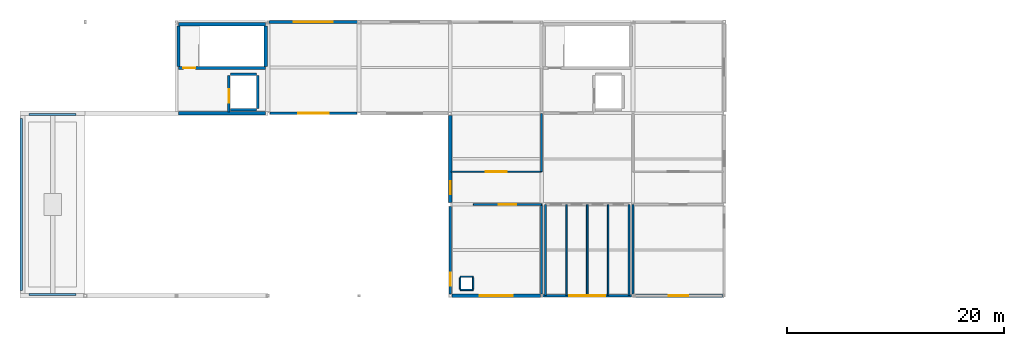
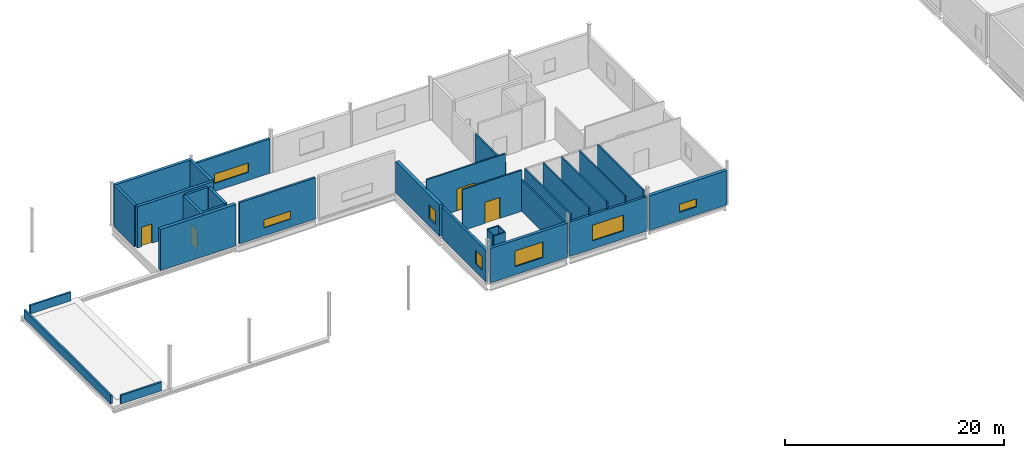
# One storey, part 19 of 27: 33 walls, 7 windows, 4 doors, 11 openings.
"""IFC4 building model written with IfcOpenShell, lengths in metres."""

import ifcopenshell
import ifcopenshell.guid

model = None  # the IFC model being written
_history = None  # IfcOwnerHistory: only IFC2X3 demands one
_inside = {}  # id of a spatial element -> (the spatial element, [elements in it])
_under = {}  # id of a project, library or spatial element -> (it, [spatial elements below it])
_declared = {}  # id of a project -> (the project, [libraries it declares])
_typed = {}  # id of a type object -> (the type object, [elements of that type])
_made_of = {}  # id of a material, layer set ... -> (it, [elements and type objects made of it])


def new_model(schema):
    """Start an empty IFC model of exactly this schema.

    Asked for "IFC4X3", IfcOpenShell would pick the latest addendum, in which some entities
    have other attributes; the version numbers below select the first issue.
    IFC2X3 requires an IfcOwnerHistory on every rooted entity: one is made here for all.
    """
    global model, _history
    if schema == "IFC4X3":
        model = ifcopenshell.file(schema_version=(4, 3, 0, 0))
    else:
        model = ifcopenshell.file(schema=schema)
    _inside.clear()
    _under.clear()
    _declared.clear()
    _typed.clear()
    _made_of.clear()
    _history = None
    if model.schema == "IFC2X3":
        org = make("IfcOrganization", Name="unknown")
        user = make(
            "IfcPersonAndOrganization",
            ThePerson=make("IfcPerson", FamilyName="unknown"),
            TheOrganization=org,
        )
        app = make(
            "IfcApplication",
            ApplicationDeveloper=org,
            Version="unknown",
            ApplicationFullName="unknown",
            ApplicationIdentifier="unknown",
        )
        _history = make(
            "IfcOwnerHistory",
            OwningUser=user,
            OwningApplication=app,
            ChangeAction="ADDED",
            CreationDate=0,
        )
    return model


def make(cls, **values):
    """One entity of the class cls with the attributes given. An attribute that is None is left unset."""
    return model.create_entity(
        cls, **{name: value for name, value in values.items() if value is not None}
    )


def rooted(cls, **values):
    """An entity with a GlobalId (a new one), such as an element, a storey or a relation."""
    return make(cls, GlobalId=ifcopenshell.guid.new(), OwnerHistory=_history, **values)


def si_unit(unit_type, name, prefix=None):
    """IfcSIUnit, for example si_unit("LENGTHUNIT", "METRE", prefix="MILLI")."""
    return make("IfcSIUnit", UnitType=unit_type, Prefix=prefix, Name=name)


def assignment(units):
    """IfcUnitAssignment: the units of a project."""
    return None if units is None else make("IfcUnitAssignment", Units=units)


def point(xyz):
    """IfcCartesianPoint."""
    return None if xyz is None else make("IfcCartesianPoint", Coordinates=xyz)


def direction(xyz):
    """IfcDirection."""
    return None if xyz is None else make("IfcDirection", DirectionRatios=xyz)


def frame(location, z_axis=None, x_axis=None):
    """IfcAxis2Placement3D, a coordinate frame: its origin and axes. An axis left out is left unset."""
    return make(
        "IfcAxis2Placement3D",
        Location=point(location),
        Axis=direction(z_axis),
        RefDirection=direction(x_axis),
    )


def frame_2d(location, x_axis=None):
    """IfcAxis2Placement2D, a coordinate frame in the plane: its origin and x axis."""
    return make(
        "IfcAxis2Placement2D", Location=point(location), RefDirection=direction(x_axis)
    )


def origin():
    """The frame at (0, 0, 0) with its axes left unset."""
    return frame((0.0, 0.0, 0.0))


def place(relative_to, where):
    """IfcLocalPlacement: puts the frame where relative to a parent placement (None: the world)."""
    return make(
        "IfcLocalPlacement", PlacementRelTo=relative_to, RelativePlacement=where
    )


def context(
    kind, dimensions, precision=None, world=None, true_north=None, identifier=None
):
    """IfcGeometricRepresentationContext, for example the 3D "Model" context."""
    return make(
        "IfcGeometricRepresentationContext",
        ContextIdentifier=identifier,
        ContextType=kind,
        CoordinateSpaceDimension=dimensions,
        Precision=precision,
        WorldCoordinateSystem=world,
        TrueNorth=true_north,
    )


def subcontext(parent, identifier, kind, view, scale=None):
    """IfcGeometricRepresentationSubContext, for example "Body" below "Model"."""
    return make(
        "IfcGeometricRepresentationSubContext",
        ContextIdentifier=identifier,
        ContextType=kind,
        ParentContext=parent,
        TargetScale=scale,
        TargetView=view,
    )


def project(units=None, contexts=None):
    """IfcProject with its units and contexts."""
    return rooted(
        "IfcProject",
        Name="project",
        RepresentationContexts=contexts,
        UnitsInContext=assignment(units),
    )


def spatial(cls, under=None, at=None, **own):
    """A site, building, storey or space (cls), placed at a placement, below another one or the project."""
    s = rooted(cls, ObjectPlacement=at, **own)
    if under is not None:
        _under.setdefault(under.id(), (under, []))[1].append(s)
    return s


def profile(cls, at=None, kind="AREA", **sizes):
    """A parametric profile (cls). Its sizes go by their IFC names, for example OverallWidth=200.0."""
    return make(cls, ProfileType=kind, Position=at, **sizes)


def rectangle(**sizes):
    """IfcRectangleProfileDef."""
    return profile("IfcRectangleProfileDef", **sizes)


def extrude(swept, where, along, depth):
    """IfcExtrudedAreaSolid: the profile swept, set in the frame where, extruded along a direction by depth."""
    return make(
        "IfcExtrudedAreaSolid",
        SweptArea=swept,
        Position=where,
        ExtrudedDirection=direction(along),
        Depth=depth,
    )


def shape(context_of_items, identifier, shape_type, items):
    """IfcShapeRepresentation: the items that make up one representation, for example the "Body"."""
    return make(
        "IfcShapeRepresentation",
        ContextOfItems=context_of_items,
        RepresentationIdentifier=identifier,
        RepresentationType=shape_type,
        Items=items,
    )


def material(Name=None, Category=None):
    """IfcMaterial."""
    return make("IfcMaterial", Name=Name, Category=Category)


def layer(
    of_material, thickness, ventilated=None, Name=None, Category=None, Priority=None
):
    """IfcMaterialLayer: one layer of a wall or slab, of a material (None: an air gap)."""
    return make(
        "IfcMaterialLayer",
        Material=of_material,
        LayerThickness=thickness,
        IsVentilated=ventilated,
        Name=Name,
        Category=Category,
        Priority=Priority,
    )


def layer_set(layers, Name=None):
    """IfcMaterialLayerSet."""
    return make("IfcMaterialLayerSet", MaterialLayers=layers, LayerSetName=Name)


def made_of(thing, what):
    """Note that an element or type object is made of a material, layer set ...; save() writes the relation."""
    if what is not None:
        _made_of.setdefault(what.id(), (what, []))[1].append(thing)
    return thing


def type_object(cls, material=None, **own):
    """A type object (cls), such as IfcWallType, which elements share."""
    return made_of(rooted(cls, **own), material)


def element(
    cls,
    number,
    at=None,
    inside=None,
    cuts=None,
    type_object=None,
    material=None,
    context=None,
    identifier="Body",
    shape_type=None,
    held_by="IfcProductDefinitionShape",
    body=None,
    shapes=None,
    **own,
):
    """One element of the class cls, such as IfcWall. Its Tag is "e" and its number.

    at: its placement. inside: the storey or other place that contains it. cuts: it is an
    opening in that element (IfcRelVoidsElement). A single representation is given by context,
    identifier, shape_type and body (its items); several are given by shapes. held_by: the class
    of the entity that holds the representations. save() writes the other relations.
    """
    e = rooted(cls, Tag="e%d" % number, ObjectPlacement=at, **own)
    if body is not None:
        shapes = [shape(context, identifier, shape_type, body)]
    if shapes is not None:
        e.Representation = make(held_by, Representations=shapes)
    if inside is not None:
        _inside.setdefault(inside.id(), (inside, []))[1].append(e)
    if cuts is not None:
        rooted(
            "IfcRelVoidsElement", RelatingBuildingElement=cuts, RelatedOpeningElement=e
        )
    if type_object is not None:
        _typed.setdefault(type_object.id(), (type_object, []))[1].append(e)
    return made_of(e, material)


def fill(opening, filler):
    """IfcRelFillsElement: the door or window that sits in an opening."""
    return rooted(
        "IfcRelFillsElement",
        RelatingOpeningElement=opening,
        RelatedBuildingElement=filler,
    )


def aggregate(whole, parts):
    """IfcRelAggregates: a whole, such as a stair, and the parts it consists of."""
    return rooted("IfcRelAggregates", RelatingObject=whole, RelatedObjects=parts)


def save(model, path):
    """Write the relations noted so far, then the file.

    IfcRelAggregates (storeys below a building ...), IfcRelContainedInSpatialStructure (elements
    in a storey), IfcRelDefinesByType, IfcRelAssociatesMaterial and IfcRelDeclares: one each for
    every whole, place, type object, material and project.
    """
    for whole, parts in _under.values():
        aggregate(whole, parts)
    for where, things in _inside.values():
        rooted(
            "IfcRelContainedInSpatialStructure",
            RelatedElements=things,
            RelatingStructure=where,
        )
    for kind, things in _typed.values():
        rooted("IfcRelDefinesByType", RelatedObjects=things, RelatingType=kind)
    for what, things in _made_of.values():
        rooted("IfcRelAssociatesMaterial", RelatedObjects=things, RelatingMaterial=what)
    for by, libraries in _declared.values():
        rooted("IfcRelDeclares", RelatingContext=by, RelatedDefinitions=libraries)
    model.write(path)


model = new_model("IFC4")

# Units and contexts
model_context = context("Model", 3, precision=1e-05, world=origin(), true_north=direction((0.0, 1.0)))
body_context = subcontext(model_context, "Body", "Model", "MODEL_VIEW")
ifc_project = project(units=[si_unit("LENGTHUNIT", "METRE"), si_unit("AREAUNIT", "SQUARE_METRE"), si_unit("VOLUMEUNIT", "CUBIC_METRE"), si_unit("PLANEANGLEUNIT", "RADIAN"), si_unit("MASSUNIT", "GRAM", prefix="KILO")], contexts=[model_context])

# Site, building, storey
site_placement = place(None, origin())
site = spatial("IfcSite", under=ifc_project, at=site_placement, CompositionType="ELEMENT")
building_placement = place(site_placement, origin())
building = spatial("IfcBuilding", under=site, at=building_placement, Name="Calvrana Isthmian Art Gallery", CompositionType="ELEMENT")
storey_placement = place(building_placement, frame((0.0, 0.0, 24.60009765625)))
storey = spatial("IfcBuildingStorey", under=building, at=storey_placement, Name="L05", CompositionType="ELEMENT", Elevation=24.60009765625)

# Wall, opening, door
ifc_material_1 = material(Name="Concrete C40/50", Category="concrete")
ifc_layer_1 = layer(ifc_material_1, 0.300048828125, Name="Concrete C40/50")
ifc_layer_set_1 = layer_set([ifc_layer_1], Name="Concrete C40/50")
wall_type_1 = type_object("IfcWallType", Name="CW-SHAFT-300", PredefinedType="SHEAR", material=ifc_layer_set_1)
wall_1_placement = place(storey_placement, frame((30.18994140625, 42.56005859375, 0.0), z_axis=(0.0, 0.0, 1.0), x_axis=(1.0, 0.0, 0.0)))
wall_1 = element("IfcWall", 1, at=wall_1_placement, inside=storey, type_object=wall_type_1, Name="Core C1 shear wall S L05", PredefinedType="SHEAR", context=body_context, shape_type="SweptSolid", body=[
    extrude(rectangle(XDim=8.02001953125, YDim=0.300048828125, at=frame_2d((4.010009765625, 0.0))), origin(), (0.0, 0.0, 1.0), 4.599853515625),
])
opening_1_placement = place(wall_1_placement, frame((0.449951171875, 0.0, 0.0)))
opening_1 = element("IfcOpeningElement", 2, at=opening_1_placement, cuts=wall_1, Name="Opening D-113", PredefinedType="OPENING", context=body_context, shape_type="SweptSolid", body=[
    extrude(rectangle(XDim=1.10009765625, YDim=2.14990234375, at=frame_2d((0.550048828125, 1.074951171875))), frame((0.0, 0.16015625, 0.0), z_axis=(0.0, -1.0, 0.0), x_axis=(1.0, 0.0, 0.0)), (0.0, 0.0, 1.0), 0.320556640625),
])
ifc_material_2 = material(Name="Steel ASTM A572 Gr 50", Category="steel")
door_type_1 = type_object("IfcDoorType", Name="DR-FIRE-1100", OperationType="NOTDEFINED", PredefinedType="DOOR", material=ifc_material_2)
door_1_placement = place(opening_1_placement, origin())
door_1 = element("IfcDoor", 3, at=door_1_placement, inside=storey, type_object=door_type_1, Name="Stair ST-1 fire door L05", OperationType="SINGLE_SWING_LEFT", OverallHeight=2.14990234375, OverallWidth=1.10009765625, PredefinedType="DOOR", context=body_context, shape_type="SweptSolid", body=[
    extrude(rectangle(XDim=1.10009765625, YDim=2.14990234375, at=frame_2d((0.550048828125, 1.074951171875))), frame((0.0, 0.02490234375, 0.0), z_axis=(0.0, -1.0, 0.0), x_axis=(1.0, 0.0, 0.0)), (0.0, 0.0, 1.0), 0.050048828125),
])
fill(opening_1, door_1)

# Walls
wall_2_placement = place(storey_placement, frame((30.18994140625, 46.580078125, 0.0), z_axis=(0.0, 0.0, 1.0), x_axis=(1.0, 0.0, 0.0)))
element("IfcWall", 4, at=wall_2_placement, inside=storey, type_object=wall_type_1, Name="Core C1 shear wall N L05", PredefinedType="SHEAR", context=body_context, shape_type="SweptSolid", body=[
    extrude(rectangle(XDim=8.02001953125, YDim=0.300048828125, at=frame_2d((4.010009765625, 0.0))), origin(), (0.0, 0.0, 1.0), 4.599853515625),
])
for number, where, z_axis, x_axis, name in (
    (5, (30.18994140625, 42.7099609375, 0.0), (0.0, 0.0, 1.0), (0.0, 1.0, 0.0), "Core C1 shear wall W L05"),
    (6, (38.2099609375, 42.7099609375, 0.0), (0.0, 0.0, 1.0), (0.0, 1.0, 0.0), "Core C1 shear wall E L05"),
):
    element("IfcWall", number, at=place(storey_placement, frame(where, z_axis=z_axis, x_axis=x_axis)), inside=storey, type_object=wall_type_1, Name=name, PredefinedType="SHEAR", context=body_context, shape_type="SweptSolid", body=[
        extrude(rectangle(XDim=3.719970703125, YDim=0.300048828125, at=frame_2d((1.85986328125, 0.0))), origin(), (0.0, 0.0, 1.0), 4.599853515625),
    ])

# Wall, opening, window
ifc_material_3 = material(Name="Precast concrete C40/50", Category="concrete")
ifc_layer_2 = layer(ifc_material_3, 0.219970703125, Name="Precast concrete C40/50")
ifc_layer_set_2 = layer_set([ifc_layer_2], Name="Precast concrete C40/50")
wall_type_2 = type_object("IfcWallType", Name="EW-ACOUST-220", PredefinedType="SOLIDWALL", material=ifc_layer_set_2)
wall_3_placement = place(storey_placement, frame((46.60009765625, 38.39990234375, 0.0), z_axis=(0.0, 0.0, 1.0), x_axis=(-1.0, 0.0, 0.0)))
wall_3 = element("IfcWall", 7, at=wall_3_placement, inside=storey, type_object=wall_type_2, Name="Exterior wall EW-214", PredefinedType="SOLIDWALL", context=body_context, shape_type="SweptSolid", body=[
    extrude(rectangle(XDim=8.0, YDim=0.219970703125, at=frame_2d((4.0, 0.0))), origin(), (0.0, 0.0, 1.0), 4.599853515625),
])
opening_2_placement = place(wall_3_placement, frame((2.60009765625, 0.0, 0.89990234375)))
opening_2 = element("IfcOpeningElement", 8, at=opening_2_placement, cuts=wall_3, Name="Opening W-159", PredefinedType="OPENING", context=body_context, shape_type="SweptSolid", body=[
    extrude(rectangle(XDim=2.800048828125, YDim=0.89990234375, at=frame_2d((1.39990234375, 0.449951171875))), frame((0.0, 0.1201171875, 0.0), z_axis=(0.0, -1.0, 0.0), x_axis=(1.0, 0.0, 0.0)), (0.0, 0.0, 1.0), 0.240478515625),
])
ifc_material_4 = material(Name="Low-E laminated solar glass", Category="glass")
window_type_1 = type_object("IfcWindowType", Name="WN-C04", PartitioningType="DOUBLE_PANEL_VERTICAL", PredefinedType="WINDOW", material=ifc_material_4)
window_1_placement = place(opening_2_placement, origin())
window_1 = element("IfcWindow", 9, at=window_1_placement, inside=storey, type_object=window_type_1, Name="Facade window W-159", OverallHeight=0.89990234375, OverallWidth=2.800048828125, PartitioningType="SINGLE_PANEL", PredefinedType="WINDOW", context=body_context, shape_type="SweptSolid", body=[
    extrude(rectangle(XDim=2.800048828125, YDim=0.89990234375, at=frame_2d((1.39990234375, 0.449951171875))), frame((0.0, 0.030029296875, 0.0), z_axis=(0.0, -1.0, 0.0), x_axis=(1.0, 0.0, 0.0)), (0.0, 0.0, 1.0), 0.06005859375),
])
fill(opening_2, window_1)

ifc_material_5 = material(Name="Pale Isthmian limestone", Category="masonry")
ifc_layer_3 = layer(ifc_material_5, 0.300048828125, Name="Pale Isthmian limestone")
ifc_layer_set_3 = layer_set([ifc_layer_3], Name="Pale Isthmian limestone")
wall_type_3 = type_object("IfcWallType", Name="EW-LIME-300", PredefinedType="SOLIDWALL", material=ifc_layer_set_3)
wall_4_placement = place(storey_placement, frame((63.498291015625, 21.60009765625, 0.0), z_axis=(0.0, 0.0, 1.0), x_axis=(-1.0, 0.0, 0.0)))
wall_4 = element("IfcWall", 10, at=wall_4_placement, inside=storey, type_object=wall_type_3, Name="Exterior wall EW-207", PredefinedType="SOLIDWALL", context=body_context, shape_type="SweptSolid", body=[
    extrude(rectangle(XDim=8.14599609375, YDim=0.300048828125, at=frame_2d((4.072998046875, 0.0))), origin(), (0.0, 0.0, 1.0), 3.84228515625),
])
opening_3_placement = place(wall_4_placement, frame((2.572998046875, 0.0, 0.89990234375)))
opening_3 = element("IfcOpeningElement", 11, at=opening_3_placement, cuts=wall_4, Name="Opening W-154", PredefinedType="OPENING", context=body_context, shape_type="SweptSolid", body=[
    extrude(rectangle(XDim=3.0, YDim=1.75, at=frame_2d((1.5, 0.875))), frame((0.0, 0.16015625, 0.0), z_axis=(0.0, -1.0, 0.0), x_axis=(1.0, 0.0, 0.0)), (0.0, 0.0, 1.0), 0.320556640625),
])
window_type_2 = type_object("IfcWindowType", Name="WN-G15", PartitioningType="DOUBLE_PANEL_VERTICAL", PredefinedType="WINDOW", material=ifc_material_4)
window_2_placement = place(opening_3_placement, origin())
window_2 = element("IfcWindow", 12, at=window_2_placement, inside=storey, type_object=window_type_2, Name="Facade window W-154", OverallHeight=1.75, OverallWidth=3.0, PartitioningType="SINGLE_PANEL", PredefinedType="WINDOW", context=body_context, shape_type="SweptSolid", body=[
    extrude(rectangle(XDim=3.0, YDim=1.75, at=frame_2d((1.5, 0.875))), frame((0.0, 0.030029296875, 0.0), z_axis=(0.0, -1.0, 0.0), x_axis=(1.0, 0.0, 0.0)), (0.0, 0.0, 1.0), 0.06005859375),
])
fill(opening_3, window_2)

ifc_layer_4 = layer(ifc_material_3, 0.35009765625, Name="Precast concrete C40/50")
ifc_layer_set_4 = layer_set([ifc_layer_4], Name="Precast concrete C40/50")
wall_type_4 = type_object("IfcWallType", Name="EW-PREC-350", PredefinedType="SOLIDWALL", material=ifc_layer_set_4)
wall_5_placement = place(storey_placement, frame((80.29833984375, 21.60009765625, 0.0), z_axis=(0.0, 0.0, 1.0), x_axis=(-1.0, 0.0, 0.0)))
wall_5 = element("IfcWall", 13, at=wall_5_placement, inside=storey, type_object=wall_type_4, Name="Exterior wall EW-209", PredefinedType="SOLIDWALL", context=body_context, shape_type="SweptSolid", body=[
    extrude(rectangle(XDim=8.17138671875, YDim=0.35009765625, at=frame_2d((4.085693359375, 0.0))), origin(), (0.0, 0.0, 1.0), 3.84228515625),
])
opening_4_placement = place(wall_5_placement, frame((3.185791015625, 0.0, 0.89990234375)))
opening_4 = element("IfcOpeningElement", 14, at=opening_4_placement, cuts=wall_5, Name="Opening W-156", PredefinedType="OPENING", context=body_context, shape_type="SweptSolid", body=[
    extrude(rectangle(XDim=1.800048828125, YDim=0.89990234375, at=frame_2d((0.89990234375, 0.449951171875))), frame((0.0, 0.185302734375, 0.0), z_axis=(0.0, -1.0, 0.0), x_axis=(1.0, 0.0, 0.0)), (0.0, 0.0, 1.0), 0.37060546875),
])
window_type_3 = type_object("IfcWindowType", Name="WN-C01", PartitioningType="DOUBLE_PANEL_VERTICAL", PredefinedType="WINDOW", material=ifc_material_4)
window_3_placement = place(opening_4_placement, origin())
window_3 = element("IfcWindow", 15, at=window_3_placement, inside=storey, type_object=window_type_3, Name="Facade window W-156", OverallHeight=0.89990234375, OverallWidth=1.800048828125, PartitioningType="SINGLE_PANEL", PredefinedType="WINDOW", context=body_context, shape_type="SweptSolid", body=[
    extrude(rectangle(XDim=1.800048828125, YDim=0.89990234375, at=frame_2d((0.89990234375, 0.449951171875))), frame((0.0, 0.030029296875, 0.0), z_axis=(0.0, -1.0, 0.0), x_axis=(1.0, 0.0, 0.0)), (0.0, 0.0, 1.0), 0.06005859375),
])
fill(opening_4, window_3)

# Wall
wall_6_placement = place(storey_placement, frame((38.199951171875, 38.39990234375, 0.0), z_axis=(0.0, 0.0, 1.0), x_axis=(-1.0, 0.0, 0.0)))
element("IfcWall", 16, at=wall_6_placement, inside=storey, type_object=wall_type_4, Name="Exterior wall EW-213", PredefinedType="SOLIDWALL", context=body_context, shape_type="SweptSolid", body=[
    extrude(rectangle(XDim=8.0, YDim=0.35009765625, at=frame_2d((4.0, 0.0))), origin(), (0.0, 0.0, 1.0), 4.599853515625),
])

# Wall, opening, window
wall_7_placement = place(storey_placement, frame((55.199951171875, 30.199951171875, 0.0), z_axis=(0.0, 0.0, 1.0), x_axis=(0.0, 1.0, 0.0)))
wall_7 = element("IfcWall", 17, at=wall_7_placement, inside=storey, type_object=wall_type_4, Name="Exterior wall EW-225", PredefinedType="SOLIDWALL", context=body_context, shape_type="SweptSolid", body=[
    extrude(rectangle(XDim=8.0, YDim=0.35009765625, at=frame_2d((4.0, 0.0))), origin(), (0.0, 0.0, 1.0), 3.52392578125),
])
opening_5_placement = place(wall_7_placement, frame((0.75, 0.0, 0.89990234375)))
opening_5 = element("IfcOpeningElement", 18, at=opening_5_placement, cuts=wall_7, Name="Opening W-170", PredefinedType="OPENING", context=body_context, shape_type="SweptSolid", body=[
    extrude(rectangle(XDim=1.199951171875, YDim=1.5, at=frame_2d((0.60009765625, 0.75))), frame((0.0, 0.185302734375, 0.0), z_axis=(0.0, -1.0, 0.0), x_axis=(1.0, 0.0, 0.0)), (0.0, 0.0, 1.0), 0.37060546875),
])
window_type_4 = type_object("IfcWindowType", Name="WN-G01", PartitioningType="SINGLE_PANEL", PredefinedType="WINDOW", material=ifc_material_4)
window_4_placement = place(opening_5_placement, origin())
window_4 = element("IfcWindow", 19, at=window_4_placement, inside=storey, type_object=window_type_4, Name="Facade window W-170", OverallHeight=1.5, OverallWidth=1.199951171875, PartitioningType="SINGLE_PANEL", PredefinedType="WINDOW", context=body_context, shape_type="SweptSolid", body=[
    extrude(rectangle(XDim=1.199951171875, YDim=1.5, at=frame_2d((0.60009765625, 0.75))), frame((0.0, 0.030029296875, 0.0), z_axis=(0.0, -1.0, 0.0), x_axis=(1.0, 0.0, 0.0)), (0.0, 0.0, 1.0), 0.06005859375),
])
fill(opening_5, window_4)

ifc_material_6 = material(Name="Polychrome glazed terracotta", Category="masonry")
ifc_layer_5 = layer(ifc_material_6, 0.25, Name="Polychrome glazed terracotta")
ifc_layer_set_5 = layer_set([ifc_layer_5], Name="Polychrome glazed terracotta")
wall_type_5 = type_object("IfcWallType", Name="EW-TERRA-250", PredefinedType="SOLIDWALL", material=ifc_layer_set_5)
wall_8_placement = place(storey_placement, frame((71.873046875, 21.60009765625, 0.0), z_axis=(0.0, 0.0, 1.0), x_axis=(-1.0, 0.0, 0.0)))
wall_8 = element("IfcWall", 20, at=wall_8_placement, inside=storey, type_object=wall_type_5, Name="Exterior wall EW-208", PredefinedType="SOLIDWALL", context=body_context, shape_type="SweptSolid", body=[
    extrude(rectangle(XDim=8.17138671875, YDim=0.25, at=frame_2d((4.085693359375, 0.0))), origin(), (0.0, 0.0, 1.0), 3.84228515625),
])
opening_6_placement = place(wall_8_placement, frame((2.435791015625, 0.0, 0.89990234375)))
opening_6 = element("IfcOpeningElement", 21, at=opening_6_placement, cuts=wall_8, Name="Opening W-155", PredefinedType="OPENING", context=body_context, shape_type="SweptSolid", body=[
    extrude(rectangle(XDim=3.300048828125, YDim=1.75, at=frame_2d((1.64990234375, 0.875))), frame((0.0, 0.13525390625, 0.0), z_axis=(0.0, -1.0, 0.0), x_axis=(1.0, 0.0, 0.0)), (0.0, 0.0, 1.0), 0.2705078125),
])
window_type_5 = type_object("IfcWindowType", Name="WN-G16", PartitioningType="DOUBLE_PANEL_VERTICAL", PredefinedType="WINDOW", material=ifc_material_4)
window_5_placement = place(opening_6_placement, origin())
window_5 = element("IfcWindow", 22, at=window_5_placement, inside=storey, type_object=window_type_5, Name="Facade window W-155", OverallHeight=1.75, OverallWidth=3.300048828125, PartitioningType="SINGLE_PANEL", PredefinedType="WINDOW", context=body_context, shape_type="SweptSolid", body=[
    extrude(rectangle(XDim=3.300048828125, YDim=1.75, at=frame_2d((1.64990234375, 0.875))), frame((0.0, 0.030029296875, 0.0), z_axis=(0.0, -1.0, 0.0), x_axis=(1.0, 0.0, 0.0)), (0.0, 0.0, 1.0), 0.06005859375),
])
fill(opening_6, window_5)

wall_9_placement = place(storey_placement, frame((38.501708984375, 46.800048828125, 0.0), z_axis=(0.0, 0.0, 1.0), x_axis=(1.0, 0.0, 0.0)))
wall_9 = element("IfcWall", 23, at=wall_9_placement, inside=storey, type_object=wall_type_5, Name="Exterior wall EW-216", PredefinedType="SOLIDWALL", context=body_context, shape_type="SweptSolid", body=[
    extrude(rectangle(XDim=8.14599609375, YDim=0.25, at=frame_2d((4.072998046875, 0.0))), origin(), (0.0, 0.0, 1.0), 3.84228515625),
])
opening_7_placement = place(wall_9_placement, frame((2.27294921875, 0.0, 0.89990234375)))
opening_7 = element("IfcOpeningElement", 24, at=opening_7_placement, cuts=wall_9, Name="Opening W-161", PredefinedType="OPENING", context=body_context, shape_type="SweptSolid", body=[
    extrude(rectangle(XDim=3.60009765625, YDim=1.050048828125, at=frame_2d((1.800048828125, 0.52490234375))), frame((0.0, 0.13525390625, 0.0), z_axis=(0.0, -1.0, 0.0), x_axis=(1.0, 0.0, 0.0)), (0.0, 0.0, 1.0), 0.2705078125),
])
window_type_6 = type_object("IfcWindowType", Name="WN-C06", PartitioningType="DOUBLE_PANEL_VERTICAL", PredefinedType="WINDOW", material=ifc_material_4)
window_6_placement = place(opening_7_placement, origin())
window_6 = element("IfcWindow", 25, at=window_6_placement, inside=storey, type_object=window_type_6, Name="Facade window W-161", OverallHeight=1.050048828125, OverallWidth=3.60009765625, PartitioningType="SINGLE_PANEL", PredefinedType="WINDOW", context=body_context, shape_type="SweptSolid", body=[
    extrude(rectangle(XDim=3.60009765625, YDim=1.050048828125, at=frame_2d((1.800048828125, 0.52490234375))), frame((0.0, 0.030029296875, 0.0), z_axis=(0.0, -1.0, 0.0), x_axis=(1.0, 0.0, 0.0)), (0.0, 0.0, 1.0), 0.06005859375),
])
fill(opening_7, window_6)

wall_10_placement = place(storey_placement, frame((55.199951171875, 21.75244140625, 0.0), z_axis=(0.0, 0.0, 1.0), x_axis=(0.0, 1.0, 0.0)))
wall_10 = element("IfcWall", 26, at=wall_10_placement, inside=storey, type_object=wall_type_5, Name="Exterior wall EW-224", PredefinedType="SOLIDWALL", context=body_context, shape_type="SweptSolid", body=[
    extrude(rectangle(XDim=8.047607421875, YDim=0.25, at=frame_2d((4.02392578125, 0.0))), origin(), (0.0, 0.0, 1.0), 3.52392578125),
])
opening_8_placement = place(wall_10_placement, frame((0.75, 0.0, 0.89990234375)))
opening_8 = element("IfcOpeningElement", 27, at=opening_8_placement, cuts=wall_10, Name="Opening W-169", PredefinedType="OPENING", context=body_context, shape_type="SweptSolid", body=[
    extrude(rectangle(XDim=1.199951171875, YDim=1.5, at=frame_2d((0.60009765625, 0.75))), frame((0.0, 0.13525390625, 0.0), z_axis=(0.0, -1.0, 0.0), x_axis=(1.0, 0.0, 0.0)), (0.0, 0.0, 1.0), 0.2705078125),
])
window_7_placement = place(opening_8_placement, origin())
window_7 = element("IfcWindow", 28, at=window_7_placement, inside=storey, type_object=window_type_4, Name="Facade window W-169", OverallHeight=1.5, OverallWidth=1.199951171875, PartitioningType="SINGLE_PANEL", PredefinedType="WINDOW", context=body_context, shape_type="SweptSolid", body=[
    extrude(rectangle(XDim=1.199951171875, YDim=1.5, at=frame_2d((0.60009765625, 0.75))), frame((0.0, 0.030029296875, 0.0), z_axis=(0.0, -1.0, 0.0), x_axis=(1.0, 0.0, 0.0)), (0.0, 0.0, 1.0), 0.06005859375),
])
fill(opening_8, window_7)

# Walls
ifc_material_7 = material(Name="Acoustic gypsum ceiling", Category="gypsum")
ifc_layer_6 = layer(ifc_material_7, 0.1201171875, Name="Acoustic gypsum ceiling")
ifc_layer_set_6 = layer_set([ifc_layer_6], Name="Acoustic gypsum ceiling")
wall_type_6 = type_object("IfcWallType", Name="PW-FURR-120", PredefinedType="PARTITIONING", material=ifc_layer_set_6)
for number, where, z_axis, x_axis, name in (
    (29, (56.10009765625, 22.139892578125, 0.0), (0.0, 0.0, 1.0), (1.0, 0.0, 0.0), "MEP riser enclosure L05-11S"),
    (30, (56.10009765625, 23.340087890625, 0.0), (0.0, 0.0, 1.0), (1.0, 0.0, 0.0), "MEP riser enclosure L05-11N"),
):
    element("IfcWall", number, at=place(storey_placement, frame(where, z_axis=z_axis, x_axis=x_axis)), inside=storey, type_object=wall_type_6, Name=name, PredefinedType="PARTITIONING", context=body_context, shape_type="SweptSolid", body=[
        extrude(rectangle(XDim=1.199951171875, YDim=0.1201171875, at=frame_2d((0.60009765625, 0.0))), origin(), (0.0, 0.0, 1.0), 4.599853515625),
    ])
for number, where, z_axis, x_axis, name in (
    (31, (56.10009765625, 22.219970703125, 0.0), (0.0, 0.0, 1.0), (0.0, 1.0, 0.0), "MEP riser enclosure L05-11W"),
    (32, (57.300048828125, 22.219970703125, 0.0), (0.0, 0.0, 1.0), (0.0, 1.0, 0.0), "MEP riser enclosure L05-11E"),
):
    element("IfcWall", number, at=place(storey_placement, frame(where, z_axis=z_axis, x_axis=x_axis)), inside=storey, type_object=wall_type_6, Name=name, PredefinedType="PARTITIONING", context=body_context, shape_type="SweptSolid", body=[
        extrude(rectangle(XDim=1.0400390625, YDim=0.1201171875, at=frame_2d((0.52001953125, 0.0))), origin(), (0.0, 0.0, 1.0), 4.599853515625),
    ])

# Wall, opening, door
ifc_layer_7 = layer(ifc_material_7, 0.159912109375, Name="Acoustic gypsum ceiling")
ifc_layer_set_7 = layer_set([ifc_layer_7], Name="Acoustic gypsum ceiling")
wall_type_7 = type_object("IfcWallType", Name="PW-GAL-160", PredefinedType="PARTITIONING", material=ifc_layer_set_7)
wall_11_placement = place(storey_placement, frame((57.320068359375, 30.0, 0.0), z_axis=(0.0, 0.0, 1.0), x_axis=(1.0, 0.0, 0.0)))
wall_11 = element("IfcWall", 33, at=wall_11_placement, inside=storey, type_object=wall_type_7, Name="Interior partition PW-605", PredefinedType="PARTITIONING", context=body_context, shape_type="SweptSolid", body=[
    extrude(rectangle(XDim=6.27001953125, YDim=0.159912109375, at=frame_2d((3.135009765625, 0.0))), origin(), (0.0, 0.0, 1.0), 4.579833984375),
])
opening_9_placement = place(wall_11_placement, frame((2.3349609375, 0.0, 0.0)))
opening_9 = element("IfcOpeningElement", 34, at=opening_9_placement, cuts=wall_11, Name="Opening D-515", PredefinedType="OPENING", context=body_context, shape_type="SweptSolid", body=[
    extrude(rectangle(XDim=1.60009765625, YDim=2.35009765625, at=frame_2d((0.800048828125, 1.175048828125))), frame((0.0, 0.09033203125, 0.0), z_axis=(0.0, -1.0, 0.0), x_axis=(1.0, 0.0, 0.0)), (0.0, 0.0, 1.0), 0.180419921875),
])
ifc_material_8 = material(Name="Timber gallery flooring", Category="wood")
door_type_2 = type_object("IfcDoorType", Name="DR-GAL-1600", OperationType="DOUBLE_DOOR_SINGLE_SWING", PredefinedType="DOOR", material=ifc_material_8)
door_2_placement = place(opening_9_placement, origin())
door_2 = element("IfcDoor", 35, at=door_2_placement, inside=storey, type_object=door_type_2, Name="Interior door D-515", OperationType="DOUBLE_DOOR_SINGLE_SWING", OverallHeight=2.35009765625, OverallWidth=1.60009765625, PredefinedType="DOOR", context=body_context, shape_type="SweptSolid", body=[
    extrude(rectangle(XDim=1.60009765625, YDim=2.35009765625, at=frame_2d((0.800048828125, 1.175048828125))), frame((0.0, 0.02490234375, 0.0), z_axis=(0.0, -1.0, 0.0), x_axis=(1.0, 0.0, 0.0)), (0.0, 0.0, 1.0), 0.050048828125),
])
fill(opening_9, door_2)

# Walls
wall_12_placement = place(storey_placement, frame((63.60009765625, 21.767333984375, 0.0), z_axis=(0.0, 0.0, 1.0), x_axis=(0.0, 1.0, 0.0)))
element("IfcWall", 36, at=wall_12_placement, inside=storey, type_object=wall_type_7, Name="Interior partition PW-606", PredefinedType="PARTITIONING", context=body_context, shape_type="SweptSolid", body=[
    extrude(rectangle(XDim=8.22265625, YDim=0.159912109375, at=frame_2d((4.111328125, 0.0))), origin(), (0.0, 0.0, 1.0), 3.52392578125),
])
for number, where, z_axis, x_axis, name in (
    (37, (63.9599609375, 21.6298828125, 0.0), (0.0, 0.0, 1.0), (0.0, 1.0, 0.0), "Interior partition PW-610"),
    (38, (71.639892578125, 21.6298828125, 0.0), (0.0, 0.0, 1.0), (0.0, 1.0, 0.0), "Interior partition PW-611"),
):
    element("IfcWall", number, at=place(storey_placement, frame(where, z_axis=z_axis, x_axis=x_axis)), inside=storey, type_object=wall_type_7, Name=name, PredefinedType="PARTITIONING", context=body_context, shape_type="SweptSolid", body=[
        extrude(rectangle(XDim=8.360107421875, YDim=0.159912109375, at=frame_2d((4.18017578125, 0.0))), origin(), (0.0, 0.0, 1.0), 4.579833984375),
    ])
wall_13_placement = place(storey_placement, frame((72.0, 21.741943359375, 0.0), z_axis=(0.0, 0.0, 1.0), x_axis=(0.0, 1.0, 0.0)))
element("IfcWall", 39, at=wall_13_placement, inside=storey, type_object=wall_type_7, Name="Interior partition PW-613", PredefinedType="PARTITIONING", context=body_context, shape_type="SweptSolid", body=[
    extrude(rectangle(XDim=8.248046875, YDim=0.159912109375, at=frame_2d((4.1240234375, 0.0))), origin(), (0.0, 0.0, 1.0), 3.52392578125),
])

# Wall, opening, door
wall_14_placement = place(storey_placement, frame((55.260009765625, 33.010009765625, 0.0), z_axis=(0.0, 0.0, 1.0), x_axis=(1.0, 0.0, 0.0)))
wall_14 = element("IfcWall", 40, at=wall_14_placement, inside=storey, type_object=wall_type_7, Name="Interior partition PW-615", PredefinedType="PARTITIONING", context=body_context, shape_type="SweptSolid", body=[
    extrude(rectangle(XDim=8.330078125, YDim=0.159912109375, at=frame_2d((4.1650390625, 0.0))), origin(), (0.0, 0.0, 1.0), 4.579833984375),
])
opening_10_placement = place(wall_14_placement, frame((3.215087890625, 0.0, 0.0)))
opening_10 = element("IfcOpeningElement", 41, at=opening_10_placement, cuts=wall_14, Name="Opening D-521", PredefinedType="OPENING", context=body_context, shape_type="SweptSolid", body=[
    extrude(rectangle(XDim=1.89990234375, YDim=2.449951171875, at=frame_2d((0.949951171875, 1.22509765625))), frame((0.0, 0.09033203125, 0.0), z_axis=(0.0, -1.0, 0.0), x_axis=(1.0, 0.0, 0.0)), (0.0, 0.0, 1.0), 0.180419921875),
])
door_type_3 = type_object("IfcDoorType", Name="DR-GAL-1900", OperationType="DOUBLE_DOOR_SINGLE_SWING", PredefinedType="DOOR", material=ifc_material_8)
door_3_placement = place(opening_10_placement, origin())
door_3 = element("IfcDoor", 42, at=door_3_placement, inside=storey, type_object=door_type_3, Name="Interior door D-521", OperationType="DOUBLE_DOOR_SINGLE_SWING", OverallHeight=2.449951171875, OverallWidth=1.89990234375, PredefinedType="DOOR", context=body_context, shape_type="SweptSolid", body=[
    extrude(rectangle(XDim=1.89990234375, YDim=2.449951171875, at=frame_2d((0.949951171875, 1.22509765625))), frame((0.0, 0.02490234375, 0.0), z_axis=(0.0, -1.0, 0.0), x_axis=(1.0, 0.0, 0.0)), (0.0, 0.0, 1.0), 0.050048828125),
])
fill(opening_10, door_3)

# Walls
wall_15_placement = place(storey_placement, frame((63.60009765625, 33.02001953125, 0.0), z_axis=(0.0, 0.0, 1.0), x_axis=(0.0, 1.0, 0.0)))
element("IfcWall", 43, at=wall_15_placement, inside=storey, type_object=wall_type_7, Name="Interior partition PW-616", PredefinedType="PARTITIONING", context=body_context, shape_type="SweptSolid", body=[
    extrude(rectangle(XDim=5.35009765625, YDim=0.159912109375, at=frame_2d((2.675048828125, 0.0))), origin(), (0.0, 0.0, 1.0), 3.52392578125),
])
ifc_material_9 = material(Name="Concrete C35/45", Category="concrete")
ifc_layer_8 = layer(ifc_material_9, 0.25, Name="Concrete C35/45")
ifc_layer_set_8 = layer_set([ifc_layer_8], Name="Concrete C35/45")
wall_type_8 = type_object("IfcWallType", Name="PW-SHAFT-250", PredefinedType="PARTITIONING", material=ifc_layer_set_8)
wall_16_placement = place(storey_placement, frame((37.47998046875, 38.85009765625, 0.0), z_axis=(0.0, 0.0, 1.0), x_axis=(0.0, 1.0, 0.0)))
element("IfcWall", 44, at=wall_16_placement, inside=storey, type_object=wall_type_8, Name="Lift EL-01 shaft wall E L05", PredefinedType="PARTITIONING", context=body_context, shape_type="SweptSolid", body=[
    extrude(rectangle(XDim=3.0, YDim=0.25, at=frame_2d((1.5, 0.0))), origin(), (0.0, 0.0, 1.0), 4.599853515625),
])
for number, where, z_axis, x_axis, name in (
    (45, (34.949951171875, 38.719970703125, 0.0), (0.0, 0.0, 1.0), (1.0, 0.0, 0.0), "Lift EL-01 shaft wall S L05"),
    (46, (34.949951171875, 41.97998046875, 0.0), (0.0, 0.0, 1.0), (1.0, 0.0, 0.0), "Lift EL-01 shaft wall N L05"),
):
    element("IfcWall", number, at=place(storey_placement, frame(where, z_axis=z_axis, x_axis=x_axis)), inside=storey, type_object=wall_type_8, Name=name, PredefinedType="PARTITIONING", context=body_context, shape_type="SweptSolid", body=[
        extrude(rectangle(XDim=2.400146484375, YDim=0.25, at=frame_2d((1.2001953125, 0.0))), origin(), (0.0, 0.0, 1.0), 4.599853515625),
    ])

# Wall, opening, door
wall_17_placement = place(storey_placement, frame((34.820068359375, 38.5, 0.0), z_axis=(0.0, 0.0, 1.0), x_axis=(0.0, 1.0, 0.0)))
wall_17 = element("IfcWall", 47, at=wall_17_placement, inside=storey, type_object=wall_type_8, Name="Lift EL-01 shaft wall W L05", PredefinedType="PARTITIONING", context=body_context, shape_type="SweptSolid", body=[
    extrude(rectangle(XDim=3.35009765625, YDim=0.25, at=frame_2d((1.675048828125, 0.0))), origin(), (0.0, 0.0, 1.0), 4.599853515625),
])
opening_11_placement = place(wall_17_placement, frame((0.85009765625, 0.0, 0.0)))
opening_11 = element("IfcOpeningElement", 48, at=opening_11_placement, cuts=wall_17, Name="Opening LD-01-L05", PredefinedType="OPENING", context=body_context, shape_type="SweptSolid", body=[
    extrude(rectangle(XDim=1.25, YDim=2.14990234375, at=frame_2d((0.625, 1.074951171875))), frame((0.0, 0.13525390625, 0.0), z_axis=(0.0, -1.0, 0.0), x_axis=(1.0, 0.0, 0.0)), (0.0, 0.0, 1.0), 0.2705078125),
])
ifc_material_10 = material(Name="Stainless steel 316", Category="steel")
door_type_4 = type_object("IfcDoorType", Name="DR-LIFT-1250", OperationType="DOUBLE_DOOR_SLIDING", PredefinedType="DOOR", material=ifc_material_10)
door_4_placement = place(opening_11_placement, origin())
door_4 = element("IfcDoor", 49, at=door_4_placement, inside=storey, type_object=door_type_4, Name="Lift EL-01 sliding landing door L05", OperationType="DOUBLE_DOOR_SLIDING", OverallHeight=2.14990234375, OverallWidth=1.25, PredefinedType="DOOR", context=body_context, shape_type="SweptSolid", body=[
    extrude(rectangle(XDim=1.25, YDim=2.14990234375, at=frame_2d((0.625, 1.074951171875))), frame((0.0, 0.02490234375, 0.0), z_axis=(0.0, -1.0, 0.0), x_axis=(1.0, 0.0, 0.0)), (0.0, 0.0, 1.0), 0.050048828125),
])
fill(opening_11, door_4)

# Walls
ifc_layer_9 = layer(ifc_material_7, 0.139892578125, Name="Acoustic gypsum ceiling")
ifc_layer_set_9 = layer_set([ifc_layer_9], Name="Acoustic gypsum ceiling")
wall_type_9 = type_object("IfcWallType", Name="PW-WC-140", PredefinedType="PARTITIONING", material=ifc_layer_set_9)
for number, where, z_axis, x_axis, name in (
    (50, (65.8798828125, 21.6298828125, 0.0), (0.0, 0.0, 1.0), (0.0, 1.0, 0.0), "Interior partition PW-607"),
    (51, (67.800048828125, 21.6298828125, 0.0), (0.0, 0.0, 1.0), (0.0, 1.0, 0.0), "Interior partition PW-608"),
    (52, (69.719970703125, 21.6298828125, 0.0), (0.0, 0.0, 1.0), (0.0, 1.0, 0.0), "Interior partition PW-609"),
):
    element("IfcWall", number, at=place(storey_placement, frame(where, z_axis=z_axis, x_axis=x_axis)), inside=storey, type_object=wall_type_9, Name=name, PredefinedType="PARTITIONING", context=body_context, shape_type="SweptSolid", body=[
        extrude(rectangle(XDim=8.360107421875, YDim=0.139892578125, at=frame_2d((4.18017578125, 0.0))), origin(), (0.0, 0.0, 1.0), 4.579833984375),
    ])
ifc_layer_10 = layer(ifc_material_5, 0.199951171875, Name="Pale Isthmian limestone")
ifc_layer_set_10 = layer_set([ifc_layer_10], Name="Pale Isthmian limestone")
wall_type_10 = type_object("IfcWallType", Name="WL-PARA-200", PredefinedType="PARAPET", material=ifc_layer_set_10)
for number, where, z_axis, x_axis, name in (
    (53, (16.449951171875, 21.719970703125, 0.0), (0.0, 0.0, 1.0), (1.0, 0.0, 0.0), "Roof parapet WP-36"),
    (54, (16.449951171875, 38.280029296875, 0.0), (0.0, 0.0, 1.0), (1.0, 0.0, 0.0), "Roof parapet WP-37"),
):
    element("IfcWall", number, at=place(storey_placement, frame(where, z_axis=z_axis, x_axis=x_axis)), inside=storey, type_object=wall_type_10, Name=name, PredefinedType="PARAPET", context=body_context, shape_type="SweptSolid", body=[
        extrude(rectangle(XDim=4.300048828125, YDim=0.199951171875, at=frame_2d((2.14990234375, 0.0))), origin(), (0.0, 0.0, 1.0), 0.949951171875),
    ])
wall_18_placement = place(storey_placement, frame((15.719970703125, 22.10009765625, 0.0), z_axis=(0.0, 0.0, 1.0), x_axis=(0.0, 1.0, 0.0)))
element("IfcWall", 55, at=wall_18_placement, inside=storey, type_object=wall_type_10, Name="Roof parapet WP-38", PredefinedType="PARAPET", context=body_context, shape_type="SweptSolid", body=[
    extrude(rectangle(XDim=15.7998046875, YDim=0.199951171875, at=frame_2d((7.89990234375, 0.0))), origin(), (0.0, 0.0, 1.0), 0.949951171875),
])

save(model, "model.ifc")
